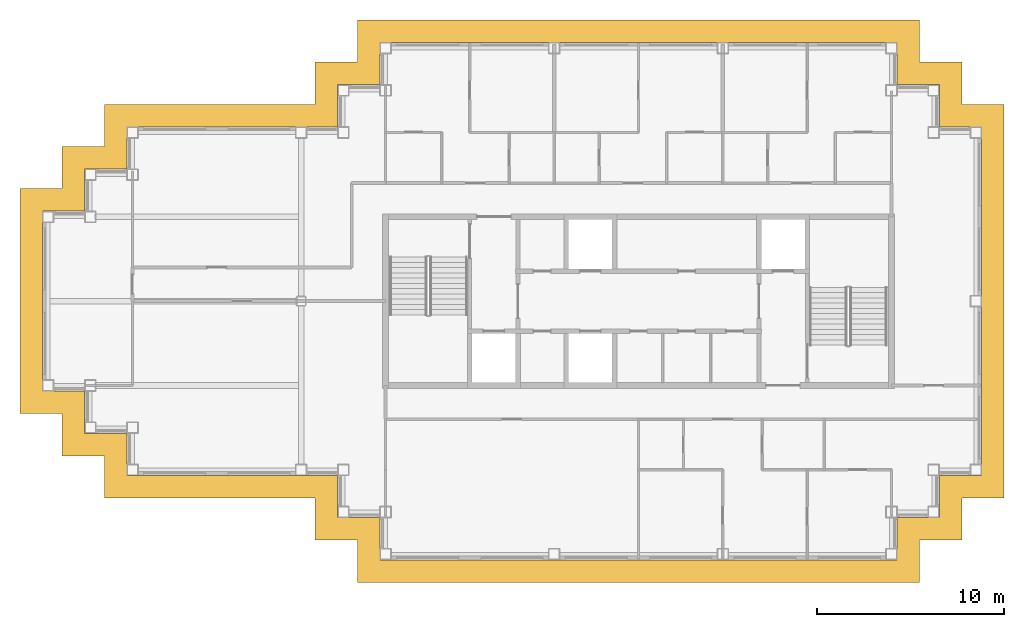
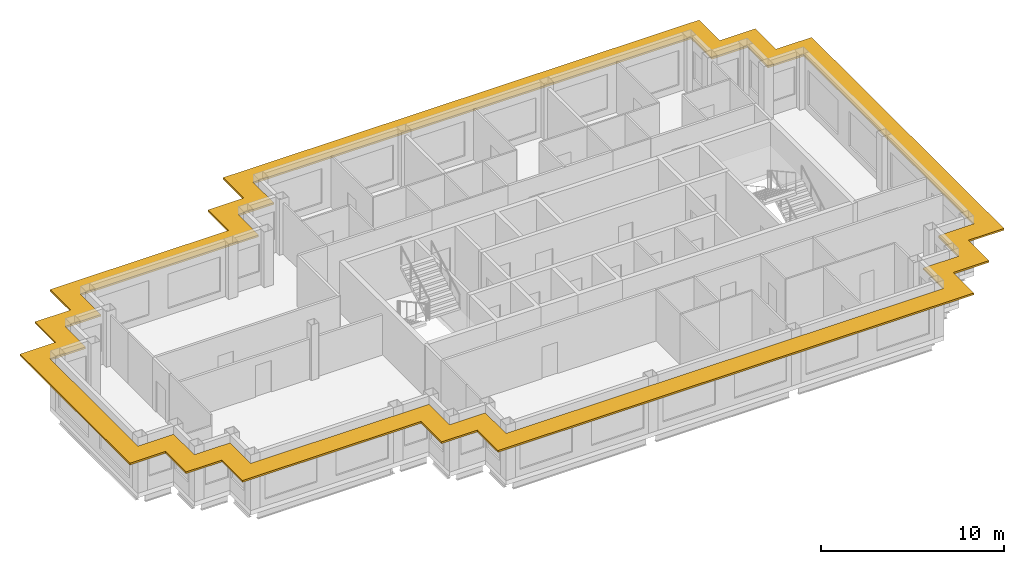
# One storey, part 10 of 11: 1 shading device.
"""IFC4 building model written with IfcOpenShell, lengths in metres."""

from ifc_helpers import new_model, si_unit, direction, frame, origin, place, context, subcontext, project, spatial, polyline, outline, extrude, material, layer, layer_set, type_object, element, save


model = new_model("IFC4")

# Units and contexts
model_context = context("Model", 3, precision=1e-05, world=origin(), true_north=direction((0.0, 1.0)))
body_context = subcontext(model_context, "Body", "Model", "MODEL_VIEW")
ifc_project = project(units=[si_unit("LENGTHUNIT", "METRE"), si_unit("AREAUNIT", "SQUARE_METRE"), si_unit("VOLUMEUNIT", "CUBIC_METRE"), si_unit("PLANEANGLEUNIT", "RADIAN"), si_unit("MASSUNIT", "GRAM", prefix="KILO")], contexts=[model_context])

# Site, building, storey
site_placement = place(None, origin())
site = spatial("IfcSite", under=ifc_project, at=site_placement, CompositionType="ELEMENT")
building_placement = place(site_placement, origin())
building = spatial("IfcBuilding", under=site, at=building_placement, Name="Caravel Reach Hotel and Residences", CompositionType="ELEMENT")
storey_placement = place(building_placement, frame((0.0, 0.0, 271.199951171875)))
storey = spatial("IfcBuildingStorey", under=building, at=storey_placement, Name="L69", CompositionType="ELEMENT", Elevation=271.199951171875)

# Shading device
ifc_material = material(Name="Black powder-coated aluminium", Category="aluminium")
ifc_layer = layer(ifc_material, 0.1201171875)
ifc_layer_set = layer_set([ifc_layer], Name="SS1 Sunshade band 1200")
shading_device_type = type_object("IfcShadingDeviceType", Name="SS1 Sunshade band 1200", PredefinedType="USERDEFINED", material=ifc_layer_set)
shading_device_placement = place(storey_placement, frame((0.0, 0.0, 3.0400390625)))
element("IfcShadingDevice", 1, at=shading_device_placement, inside=storey, type_object=shading_device_type, Name="Sunshade L69 1", ObjectType="SUNSHADE", PredefinedType="USERDEFINED", context=body_context, shape_type="SweptSolid", body=[
    extrude(outline(polyline([(3.0, 16.5), (14.25, 16.5), (14.25, 14.25), (16.5, 14.25), (16.5, 12.0), (46.5, 12.0), (46.5, 14.25), (48.75, 14.25), (48.75, 16.5), (51.0, 16.5), (51.0, 37.5), (48.75, 37.5), (48.75, 39.75), (46.5, 39.75), (46.5, 42.0), (16.5, 42.0), (16.5, 39.75), (14.25, 39.75), (14.25, 37.5), (3.0, 37.5), (3.0, 35.25), (0.75, 35.25), (0.75, 33.0), (-1.5, 33.0), (-1.5, 21.0), (0.75, 21.0), (0.75, 18.75), (3.0, 18.75), (3.0, 16.5)]), holes=[polyline([(15.449951171875, 15.449951171875), (15.449951171875, 17.699951171875), (4.199951171875, 17.699951171875), (4.199951171875, 19.949951171875), (1.949951171875, 19.949951171875), (1.949951171875, 22.199951171875), (-0.300048828125, 22.199951171875), (-0.300048828125, 31.800048828125), (1.949951171875, 31.800048828125), (1.949951171875, 34.050048828125), (4.199951171875, 34.050048828125), (4.199951171875, 36.300048828125), (15.449951171875, 36.300048828125), (15.449951171875, 38.550048828125), (17.699951171875, 38.550048828125), (17.699951171875, 40.800048828125), (45.300048828125, 40.800048828125), (45.300048828125, 38.550048828125), (47.550048828125, 38.550048828125), (47.550048828125, 36.300048828125), (49.800048828125, 36.300048828125), (49.800048828125, 17.699951171875), (47.550048828125, 17.699951171875), (47.550048828125, 15.449951171875), (45.300048828125, 15.449951171875), (45.300048828125, 13.199951171875), (17.699951171875, 13.199951171875), (17.699951171875, 15.449951171875), (15.449951171875, 15.449951171875)])]), origin(), (0.0, 0.0, 1.0), 0.1201171875),
])

save(model, "model.ifc")
